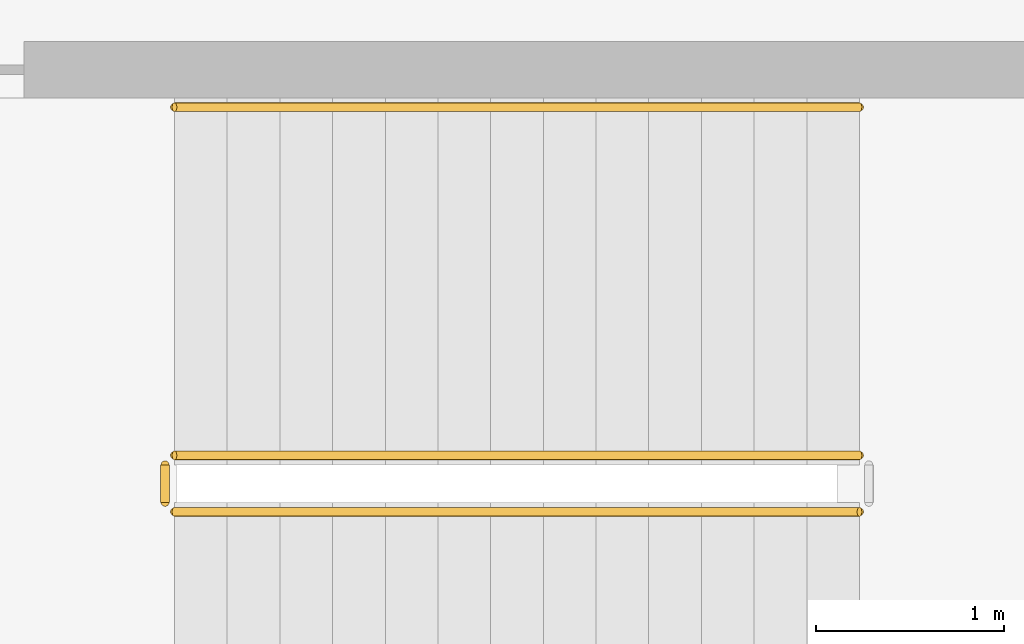
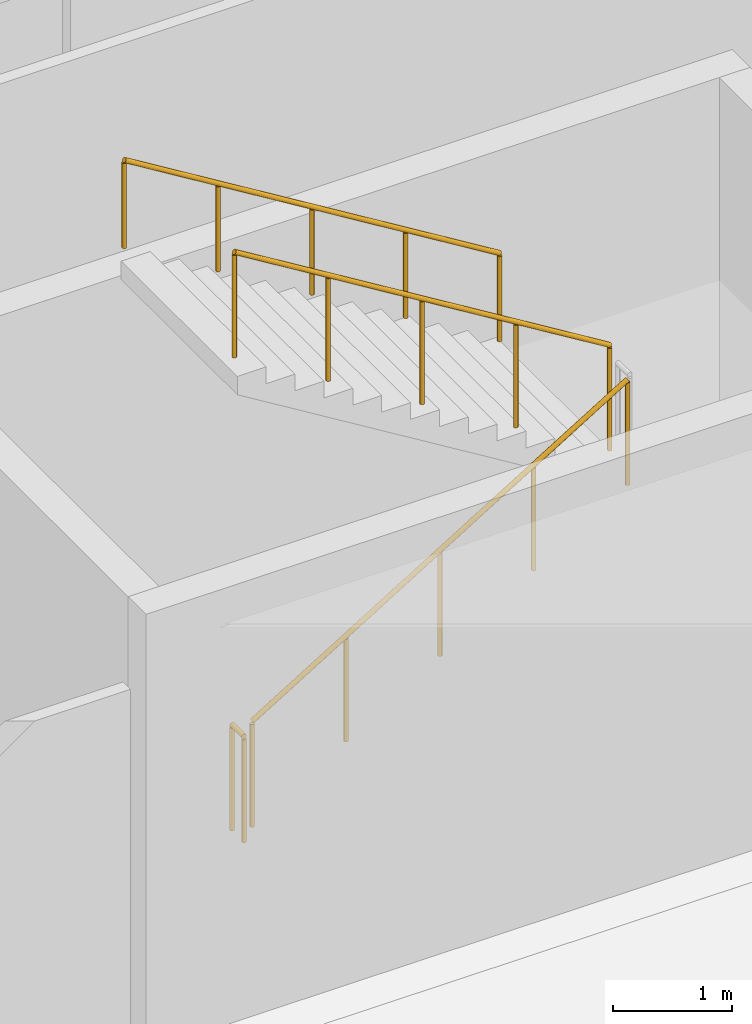
# One storey, part 169 of 177: 4 railings.
"""IFC4 building model written with IfcOpenShell, lengths in metres."""

from ifc_helpers import new_model, si_unit, direction, frame, origin, origin_2d, place, context, subcontext, project, spatial, circle, extrude, material, layer, layer_set, type_object, element, save


model = new_model("IFC4")

# Units and contexts
model_context = context("Model", 3, precision=1e-05, world=origin(), true_north=direction((0.0, 1.0)))
body_context = subcontext(model_context, "Body", "Model", "MODEL_VIEW")
ifc_project = project(units=[si_unit("LENGTHUNIT", "METRE"), si_unit("AREAUNIT", "SQUARE_METRE"), si_unit("VOLUMEUNIT", "CUBIC_METRE"), si_unit("PLANEANGLEUNIT", "RADIAN"), si_unit("MASSUNIT", "GRAM", prefix="KILO")], contexts=[model_context])

# Site, building, storey
site_placement = place(None, origin())
site = spatial("IfcSite", under=ifc_project, at=site_placement, CompositionType="ELEMENT")
building_placement = place(site_placement, origin())
building = spatial("IfcBuilding", under=site, at=building_placement, Name="Chiffa Square Polytechnic", CompositionType="ELEMENT")
storey_placement = place(building_placement, frame((0.0, 0.0, 4.800048828125)))
storey = spatial("IfcBuildingStorey", under=building, at=storey_placement, Name="L01", CompositionType="ELEMENT", Elevation=4.800048828125)

# Railings
ifc_material = material(Name="Steel S355", Category="steel")
ifc_layer_1 = layer(ifc_material, 0.050048828125, Name="Steel S355")
ifc_layer_set_1 = layer_set([ifc_layer_1], Name="Steel S355")
railing_type_1 = type_object("IfcRailingType", Name="RL-STAIR-GUARD", PredefinedType="GUARDRAIL", material=ifc_layer_set_1)
railing_1_placement = place(storey_placement, frame((124.199951171875, 19.64990234375, 0.17138671875)))
element("IfcRailing", 1, at=railing_1_placement, inside=storey, type_object=railing_type_1, Name="L01 ST-V1A stair guard 1", PredefinedType="GUARDRAIL", context=body_context, shape_type="SweptSolid", body=[
    extrude(circle(Radius=0.02392578125, at=origin_2d()), frame((0.0, 0.0, 1.076171875), z_axis=(0.852865859571, 0.0, 0.52213008492), x_axis=(0.0, 1.0, 0.0)), (0.0, 0.0, 1.0), 4.26806640625),
    extrude(circle(Radius=0.02099609375, at=origin_2d()), origin(), (0.0, 0.0, 1.0), 1.052001953125),
    extrude(circle(Radius=0.02099609375, at=origin_2d()), frame((0.91015625, 0.0, 0.55712890625)), (0.0, 0.0, 1.0), 1.052001953125),
    extrude(circle(Radius=0.02099609375, at=origin_2d()), frame((1.820068359375, 0.0, 1.1142578125)), (0.0, 0.0, 1.0), 1.052001953125),
    extrude(circle(Radius=0.02099609375, at=origin_2d()), frame((2.72998046875, 0.0, 1.67138671875)), (0.0, 0.0, 1.0), 1.052001953125),
    extrude(circle(Radius=0.02099609375, at=origin_2d()), frame((3.64013671875, 0.0, 2.228515625)), (0.0, 0.0, 1.0), 1.052001953125),
])
railing_2_placement = place(storey_placement, frame((127.840087890625, 19.949951171875, 2.5712890625)))
element("IfcRailing", 2, at=railing_2_placement, inside=storey, type_object=railing_type_1, Name="L01 ST-V1A stair guard 3", PredefinedType="GUARDRAIL", context=body_context, shape_type="SweptSolid", body=[
    extrude(circle(Radius=0.02392578125, at=origin_2d()), frame((0.0, 0.0, 1.076171875), z_axis=(-0.852840387347, 0.0, 0.522171689878), x_axis=(0.0, -1.0, 0.0)), (0.0, 0.0, 1.0), 4.268310546875),
    extrude(circle(Radius=0.02099609375, at=origin_2d()), origin(), (0.0, 0.0, 1.0), 1.052001953125),
    extrude(circle(Radius=0.02099609375, at=origin_2d()), frame((-0.91015625, 0.0, 0.55712890625)), (0.0, 0.0, 1.0), 1.052001953125),
    extrude(circle(Radius=0.02099609375, at=origin_2d()), frame((-1.820068359375, 0.0, 1.1142578125)), (0.0, 0.0, 1.0), 1.052001953125),
    extrude(circle(Radius=0.02099609375, at=origin_2d()), frame((-2.72998046875, 0.0, 1.671630859375)), (0.0, 0.0, 1.0), 1.052001953125),
    extrude(circle(Radius=0.02099609375, at=origin_2d()), frame((-3.64013671875, 0.0, 2.228759765625)), (0.0, 0.0, 1.0), 1.052001953125),
])
railing_3_placement = place(storey_placement, frame((124.14990234375, 19.699951171875, 0.0)))
element("IfcRailing", 3, at=railing_3_placement, inside=storey, type_object=railing_type_1, Name="L01 ST-V1A stair guard 4", PredefinedType="GUARDRAIL", context=body_context, shape_type="SweptSolid", body=[
    extrude(circle(Radius=0.02392578125, at=origin_2d()), frame((0.0, 0.0, 1.076171875), z_axis=(0.0, 1.0, 0.0), x_axis=(-1.0, 0.0, 0.0)), (0.0, 0.0, 1.0), 0.199951171875),
    extrude(circle(Radius=0.02099609375, at=origin_2d()), origin(), (0.0, 0.0, 1.0), 1.052001953125),
    extrude(circle(Radius=0.02099609375, at=origin_2d()), frame((0.0, 0.199951171875, 0.0)), (0.0, 0.0, 1.0), 1.052001953125),
])
ifc_layer_2 = layer(ifc_material, 0.044921875, Name="Steel S355")
ifc_layer_set_2 = layer_set([ifc_layer_2], Name="Steel S355")
railing_type_2 = type_object("IfcRailingType", Name="RL-STAIR-HAND", PredefinedType="HANDRAIL", material=ifc_layer_set_2)
railing_4_placement = place(storey_placement, frame((127.840087890625, 21.800048828125, 2.5712890625)))
element("IfcRailing", 4, at=railing_4_placement, inside=storey, type_object=railing_type_2, Name="L01 ST-V1A stair handrail 2", PredefinedType="HANDRAIL", context=body_context, shape_type="SweptSolid", body=[
    extrude(circle(Radius=0.02392578125, at=origin_2d()), frame((0.0, 0.0, 0.89599609375), z_axis=(-0.852840387347, 0.0, 0.522171689878), x_axis=(0.0, -1.0, 0.0)), (0.0, 0.0, 1.0), 4.268310546875),
    extrude(circle(Radius=0.02099609375, at=origin_2d()), origin(), (0.0, 0.0, 1.0), 0.871826171875),
    extrude(circle(Radius=0.02099609375, at=origin_2d()), frame((-0.91015625, 0.0, 0.55712890625)), (0.0, 0.0, 1.0), 0.871826171875),
    extrude(circle(Radius=0.02099609375, at=origin_2d()), frame((-1.820068359375, 0.0, 1.1142578125)), (0.0, 0.0, 1.0), 0.871826171875),
    extrude(circle(Radius=0.02099609375, at=origin_2d()), frame((-2.72998046875, 0.0, 1.671630859375)), (0.0, 0.0, 1.0), 0.871826171875),
    extrude(circle(Radius=0.02099609375, at=origin_2d()), frame((-3.64013671875, 0.0, 2.228759765625)), (0.0, 0.0, 1.0), 0.871826171875),
])

save(model, "model.ifc")
